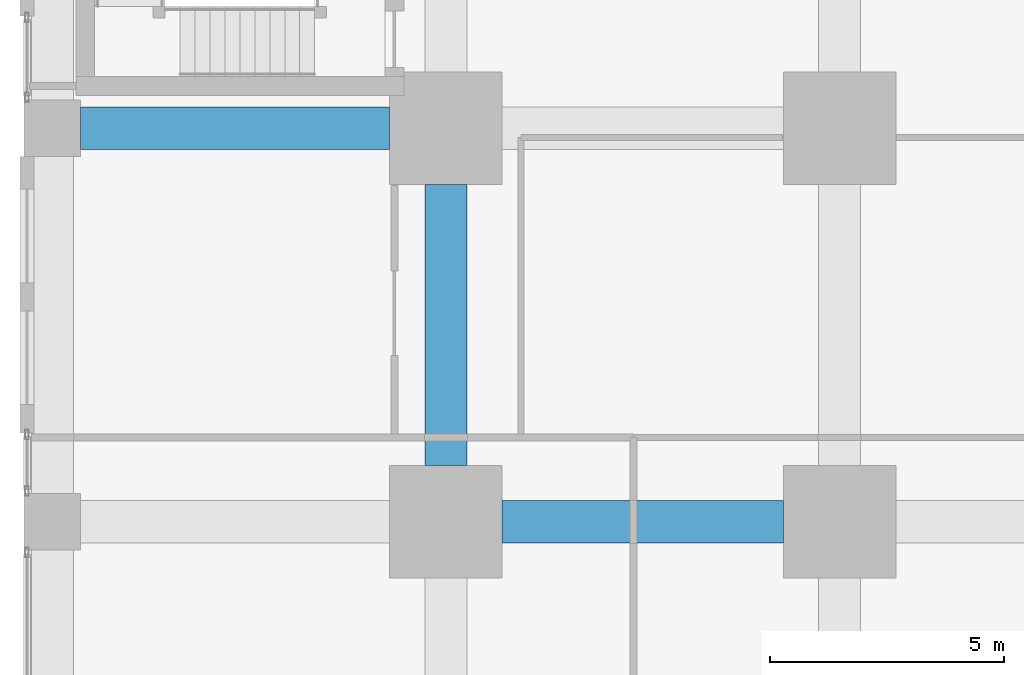
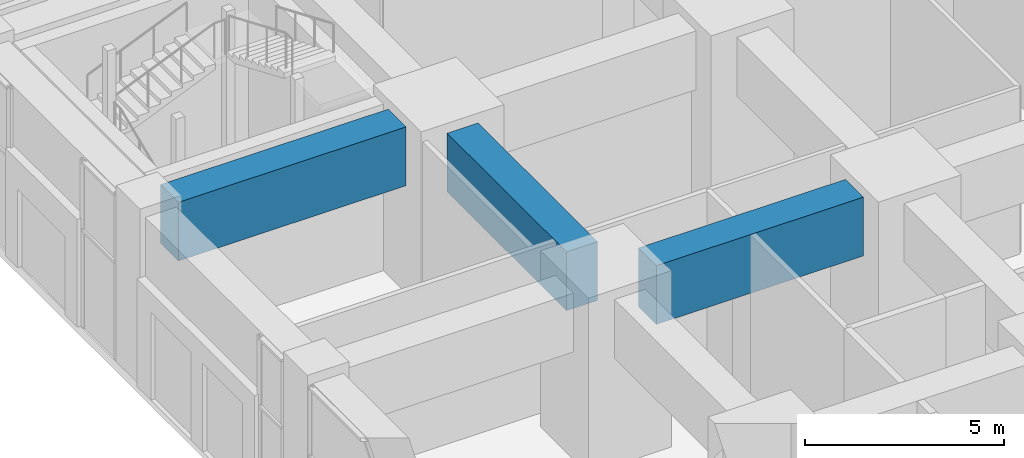
# One storey, part 10 of 81: 3 beams.
"""IFC4 building model written with IfcOpenShell, lengths in metres."""

from ifc_helpers import new_model, si_unit, direction, frame, origin, origin_2d, place, context, subcontext, project, spatial, rectangle, extrude, material, material_profile, profile_set, type_object, element, save


model = new_model("IFC4")

# Units and contexts
model_context = context("Model", 3, precision=1e-05, world=origin(), true_north=direction((0.0, 1.0)))
body_context = subcontext(model_context, "Body", "Model", "MODEL_VIEW")
ifc_project = project(units=[si_unit("LENGTHUNIT", "METRE"), si_unit("AREAUNIT", "SQUARE_METRE"), si_unit("VOLUMEUNIT", "CUBIC_METRE"), si_unit("PLANEANGLEUNIT", "RADIAN"), si_unit("MASSUNIT", "GRAM", prefix="KILO")], contexts=[model_context])

# Site, building, storey
site_placement = place(None, origin())
site = spatial("IfcSite", under=ifc_project, at=site_placement, CompositionType="ELEMENT")
building_placement = place(site_placement, origin())
building = spatial("IfcBuilding", under=site, at=building_placement, Name="Rekha Terrace Tower", CompositionType="ELEMENT")
storey_placement = place(building_placement, origin())
storey = spatial("IfcBuildingStorey", under=building, at=storey_placement, Name="L00", CompositionType="ELEMENT", Elevation=0.0)

# Beams
ifc_material = material(Name="Concrete M60", Category="concrete")
ifc_material_profile = material_profile(ifc_material, rectangle(XDim=0.89990234375, YDim=1.800048828125, at=origin_2d()), Name="RC 900x1800")
ifc_profile_set = profile_set([ifc_material_profile], Name="Concrete M60")
beam_type = type_object("IfcBeamType", Name="G1 900x1800 podium floor beam", PredefinedType="BEAM", material=ifc_profile_set)
beam_placement = place(storey_placement, frame((0.60009765625, 25.199951171875, 4.199951171875), z_axis=(1.0, 0.0, 0.0), x_axis=(0.0, 1.0, 0.0)))
element("IfcBeam", 1, at=beam_placement, inside=storey, type_object=beam_type, Name="Beam G1 1D-2D under L01", PredefinedType="BEAM", context=body_context, shape_type="SweptSolid", body=[
    extrude(rectangle(XDim=0.89990234375, YDim=1.800048828125, at=origin_2d()), origin(), (0.0, 0.0, 1.0), 6.599853515625),
])
for number, where, z_axis, x_axis, name in (
    (2, (9.60009765625, 16.800048828125, 4.199951171875), (1.0, 0.0, 0.0), (0.0, 1.0, 0.0), "Beam G1 2C-3C under L01"),
    (3, (8.39990234375, 18.0, 4.199951171875), (0.0, 1.0, 0.0), (-1.0, 0.0, 0.0), "Beam G1 2C-2D under L01"),
):
    element("IfcBeam", number, at=place(storey_placement, frame(where, z_axis=z_axis, x_axis=x_axis)), inside=storey, type_object=beam_type, Name=name, PredefinedType="BEAM", context=body_context, shape_type="SweptSolid", body=[
        extrude(rectangle(XDim=0.89990234375, YDim=1.800048828125, at=origin_2d()), origin(), (0.0, 0.0, 1.0), 6.0),
    ])

save(model, "model.ifc")
